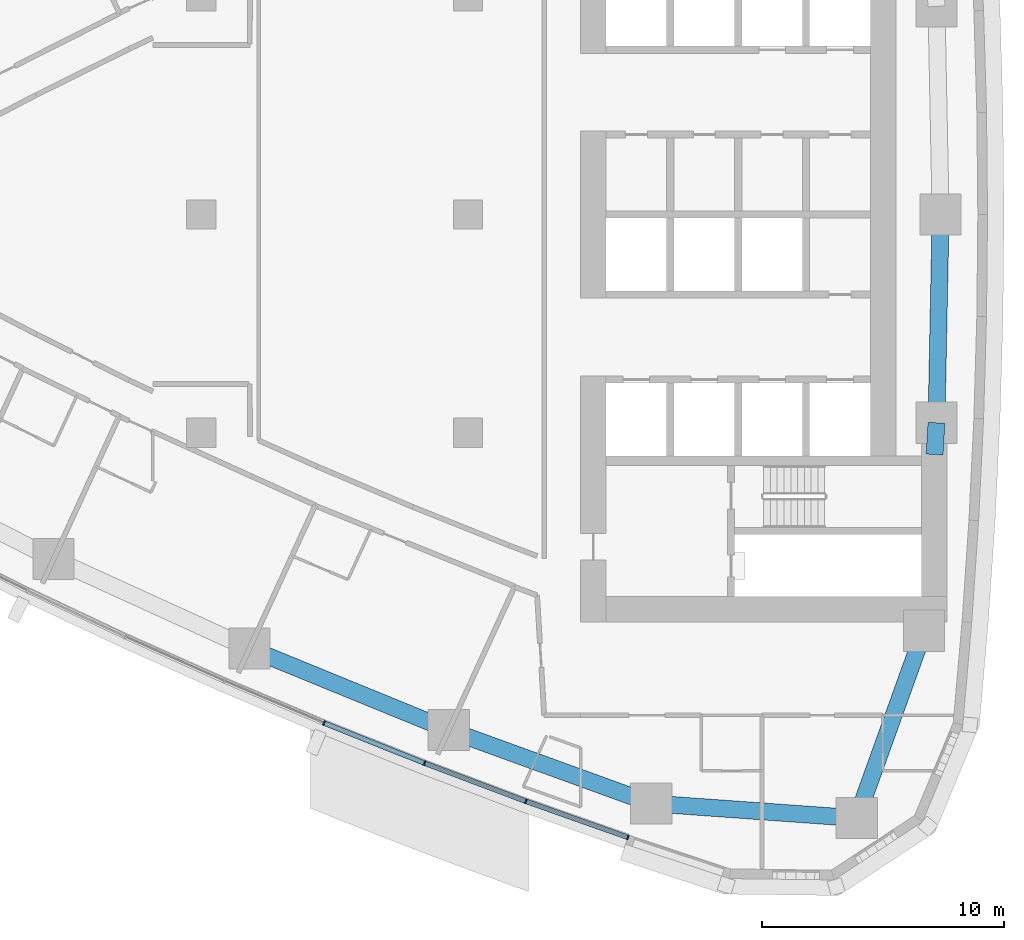
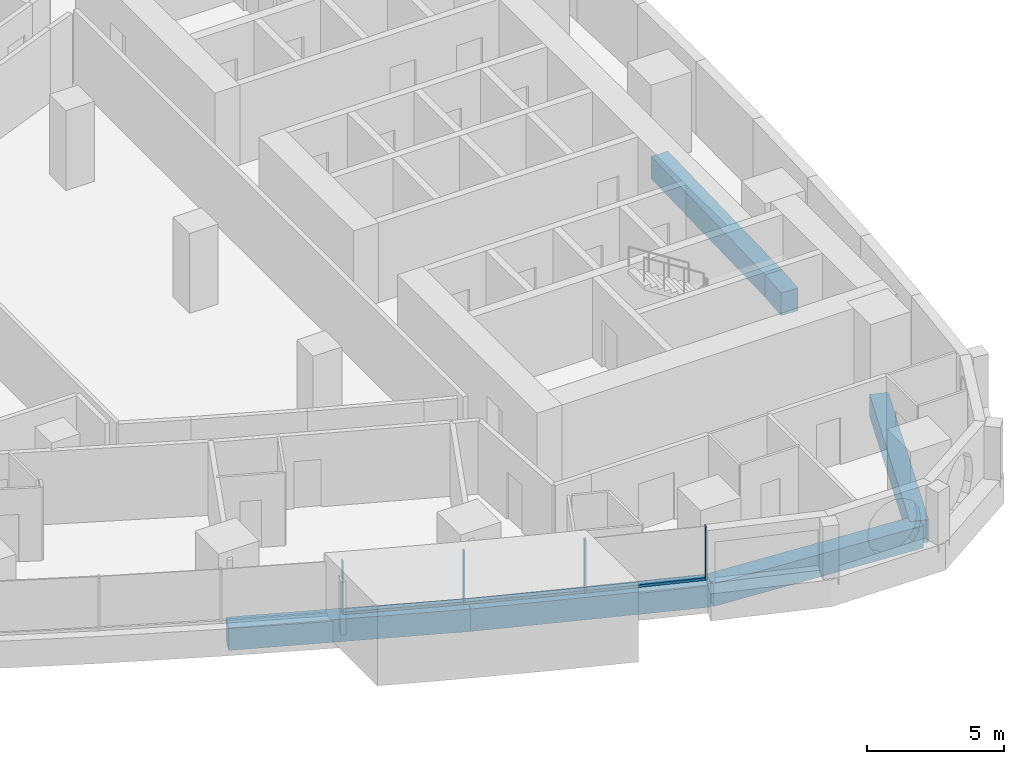
# One storey, part 4 of 17: 7 members, 6 beams, 2 elements without a shape of their own.
"""IFC4 building model written with IfcOpenShell, lengths in metres."""

from ifc_helpers import new_model, si_unit, direction, frame, origin, origin_2d, place, context, subcontext, project, spatial, rectangle, extrude, material, layer, layer_set, material_profile, profile_set, type_object, element, aggregate, save


model = new_model("IFC4")

# Units and contexts
model_context = context("Model", 3, precision=1e-05, world=origin(), true_north=direction((0.0, 1.0)))
body_context = subcontext(model_context, "Body", "Model", "MODEL_VIEW")
ifc_project = project(units=[si_unit("LENGTHUNIT", "METRE"), si_unit("AREAUNIT", "SQUARE_METRE"), si_unit("VOLUMEUNIT", "CUBIC_METRE"), si_unit("PLANEANGLEUNIT", "RADIAN"), si_unit("MASSUNIT", "GRAM", prefix="KILO")], contexts=[model_context])

# Site, building, storey
site_placement = place(None, origin())
site = spatial("IfcSite", under=ifc_project, at=site_placement, CompositionType="ELEMENT")
building_placement = place(site_placement, origin())
building = spatial("IfcBuilding", under=site, at=building_placement, Name="Ostrand Prow Hotel Tower", CompositionType="ELEMENT")
storey_placement = place(building_placement, frame((0.0, 0.0, 99.10009765625)))
storey = spatial("IfcBuildingStorey", under=building, at=storey_placement, Name="L23", CompositionType="ELEMENT", Elevation=99.10009765625)

# Beams
ifc_material_1 = material(Name="Concrete C80/95", Category="concrete")
ifc_material_profile_1 = material_profile(ifc_material_1, rectangle(XDim=0.699951171875, YDim=1.0, at=origin_2d()), Name="RC 700x1000")
ifc_profile_set_1 = profile_set([ifc_material_profile_1], Name="Concrete C80/95")
beam_type = type_object("IfcBeamType", Name="Edge beam 700x1000 C80/95", PredefinedType="SPANDREL", material=ifc_profile_set_1)
beam_1_placement = place(storey_placement, frame((35.98828125, -17.901611328125, -0.800048828125), z_axis=(0.925612172894, -0.378473387955, 0.0), x_axis=(0.378473387955, 0.925612172894, 0.0)))
element("IfcBeam", 1, at=beam_1_placement, inside=storey, type_object=beam_type, Name="Edge beam S4-S5", PredefinedType="SPANDREL", context=body_context, shape_type="SweptSolid", body=[
    extrude(rectangle(XDim=0.699951171875, YDim=1.0, at=origin_2d()), origin(), (0.0, 0.0, 1.0), 8.88330078125),
])
beam_2_placement = place(storey_placement, frame((44.210693359375, -21.263671875, -0.800048828125), z_axis=(0.940062739321, -0.341001533927, 0.0), x_axis=(0.341001533927, 0.940062739321, 0.0)))
element("IfcBeam", 2, at=beam_2_placement, inside=storey, type_object=beam_type, Name="Edge beam S5-S6", PredefinedType="SPANDREL", context=body_context, shape_type="SweptSolid", body=[
    extrude(rectangle(XDim=0.699951171875, YDim=1.0, at=origin_2d()), origin(), (0.0, 0.0, 1.0), 8.883544921875),
])
beam_3_placement = place(storey_placement, frame((52.561767578125, -24.29296875, -0.800048828125), z_axis=(0.99747195063, -0.071061295414, 0.0), x_axis=(0.071061295414, 0.99747195063, 0.0)))
element("IfcBeam", 3, at=beam_3_placement, inside=storey, type_object=beam_type, Name="Edge beam S6-SE", PredefinedType="SPANDREL", context=body_context, shape_type="SweptSolid", body=[
    extrude(rectangle(XDim=0.699951171875, YDim=1.0, at=origin_2d()), origin(), (0.0, 0.0, 1.0), 8.499755859375),
])
beam_4_placement = place(storey_placement, frame((61.0400390625, -24.89697265625, -0.800048828125), z_axis=(0.337815484063, 0.941212355809, 0.0), x_axis=(-0.941212355809, 0.337815484063, 0.0)))
element("IfcBeam", 4, at=beam_4_placement, inside=storey, type_object=beam_type, Name="Edge beam SE-B1", PredefinedType="SPANDREL", context=body_context, shape_type="SweptSolid", body=[
    extrude(rectangle(XDim=0.699951171875, YDim=1.0, at=origin_2d()), origin(), (0.0, 0.0, 1.0), 8.21630859375),
])
beam_5_placement = place(storey_placement, frame((64.25048828125, -9.89990234375, -0.800048828125), z_axis=(0.059658953766, 0.998218818314, 0.0), x_axis=(-0.998218818314, 0.059658953766, 0.0)))
element("IfcBeam", 5, at=beam_5_placement, inside=storey, type_object=beam_type, Name="Edge beam B1-B2", PredefinedType="SPANDREL", context=body_context, shape_type="SweptSolid", body=[
    extrude(rectangle(XDim=0.699951171875, YDim=1.0, at=origin_2d()), origin(), (0.0, 0.0, 1.0), 1.313720703125),
])
beam_6_placement = place(storey_placement, frame((64.328857421875, -8.588623046875, -0.800048828125), z_axis=(0.019922705812, 0.9998015232, 0.0), x_axis=(-0.9998015232, 0.019922705812, 0.0)))
element("IfcBeam", 6, at=beam_6_placement, inside=storey, type_object=beam_type, Name="Edge beam B2-B3", PredefinedType="SPANDREL", context=body_context, shape_type="SweptSolid", body=[
    extrude(rectangle(XDim=0.699951171875, YDim=1.0, at=origin_2d()), origin(), (0.0, 0.0, 1.0), 8.59033203125),
])

# Curtain wall, members
ifc_material_2 = material(Name="Insulated glass in bronze anodised frame", Category="glass")
ifc_layer = layer(ifc_material_2, 0.199951171875)
ifc_layer_set = layer_set([ifc_layer], Name="Insulated glass in bronze anodised frame")
curtain_wall_type = type_object("IfcCurtainWallType", Name="Strip curtain wall, fritted glass over bronze spandrel", PredefinedType="NOTDEFINED", material=ifc_layer_set)
curtain_wall_1_placement = place(storey_placement, origin())
curtain_wall_1 = element("IfcCurtainWall", 7, at=curtain_wall_1_placement, inside=storey, type_object=curtain_wall_type, Name="CW1 run CWS4", PredefinedType="NOTDEFINED")
ifc_material_3 = material(Name="Bronze anodised aluminium", Category="aluminium")
ifc_material_profile_2 = material_profile(ifc_material_3, rectangle(XDim=0.199951171875, YDim=0.06005859375, at=origin_2d()), Name="Mullion 60x200 bronze anodised aluminium")
ifc_profile_set_2 = profile_set([ifc_material_profile_2], Name="Bronze anodised aluminium")
member_type_1 = type_object("IfcMemberType", Name="Mullion 60x200 bronze anodised aluminium", PredefinedType="MULLION", material=ifc_profile_set_2)
member_1_placement = place(storey_placement, frame((39.06396484375, -20.97265625, 0.89990234375), z_axis=(0.0, 0.0, 1.0), x_axis=(0.370982121315, 0.928640008649, 0.0)))
member_1 = element("IfcMember", 8, at=member_1_placement, type_object=member_type_1, Name="CW1 mullion 2", PredefinedType="MULLION", context=body_context, shape_type="SweptSolid", body=[
    extrude(rectangle(XDim=0.199951171875, YDim=0.06005859375, at=origin_2d()), origin(), (0.0, 0.0, 1.0), 2.35009765625),
])
member_2_placement = place(storey_placement, frame((43.211181640625, -22.62939453125, 0.89990234375), z_axis=(0.0, 0.0, 1.0), x_axis=(0.370982121315, 0.928640008649, 0.0)))
member_2 = element("IfcMember", 9, at=member_2_placement, type_object=member_type_1, Name="CW1 mullion 3", PredefinedType="MULLION", context=body_context, shape_type="SweptSolid", body=[
    extrude(rectangle(XDim=0.199951171875, YDim=0.06005859375, at=origin_2d()), origin(), (0.0, 0.0, 1.0), 2.35009765625),
])

curtain_wall_2_placement = place(storey_placement, origin())
curtain_wall_2 = element("IfcCurtainWall", 10, at=curtain_wall_2_placement, inside=storey, type_object=curtain_wall_type, Name="CW1 run CWS5", PredefinedType="NOTDEFINED")
member_3_placement = place(storey_placement, frame((47.390869140625, -24.202880859375, 0.89990234375), z_axis=(0.0, 0.0, 1.0), x_axis=(0.333495894542, 0.942751551748, 0.0)))
member_3 = element("IfcMember", 11, at=member_3_placement, type_object=member_type_1, Name="CW1 mullion 2", PredefinedType="MULLION", context=body_context, shape_type="SweptSolid", body=[
    extrude(rectangle(XDim=0.199951171875, YDim=0.06005859375, at=origin_2d()), origin(), (0.0, 0.0, 1.0), 2.35009765625),
])
member_4_placement = place(storey_placement, frame((51.601318359375, -25.692138671875, 0.89990234375), z_axis=(0.0, 0.0, 1.0), x_axis=(0.333495894542, 0.942751551748, 0.0)))
member_4 = element("IfcMember", 12, at=member_4_placement, type_object=member_type_1, Name="CW1 mullion 3", PredefinedType="MULLION", context=body_context, shape_type="SweptSolid", body=[
    extrude(rectangle(XDim=0.199951171875, YDim=0.06005859375, at=origin_2d()), origin(), (0.0, 0.0, 1.0), 2.35009765625),
])

# Member
ifc_material_4 = material(Name="Bronze anodised aluminium", Category="aluminium")
ifc_material_profile_3 = material_profile(ifc_material_4, rectangle(XDim=0.199951171875, YDim=0.1201171875, at=origin_2d()), Name="Transom 120x200 bronze anodised aluminium")
ifc_profile_set_3 = profile_set([ifc_material_profile_3], Name="Bronze anodised aluminium")
member_type_2 = type_object("IfcMemberType", Name="Transom 120x200 bronze anodised aluminium", PredefinedType="USERDEFINED", material=ifc_profile_set_3)
member_5_placement = place(storey_placement, frame((39.091796875, -20.983642578125, 0.9599609375), z_axis=(0.928621833209, -0.371027614724, 0.0), x_axis=(0.371027614724, 0.928621833209, 0.0)))
member_5 = element("IfcMember", 13, at=member_5_placement, type_object=member_type_2, Name="CW1 transom 2.1", ObjectType="TRANSOM", PredefinedType="USERDEFINED", context=body_context, shape_type="SweptSolid", body=[
    extrude(rectangle(XDim=0.199951171875, YDim=0.1201171875, at=origin_2d()), origin(), (0.0, 0.0, 1.0), 4.406005859375),
])

aggregate(curtain_wall_1, [member_1, member_2, member_5])

member_6_placement = place(storey_placement, frame((43.2392578125, -22.639892578125, 0.9599609375), z_axis=(0.935868398429, -0.352349742191, 0.0), x_axis=(0.352349742191, 0.935868398429, 0.0)))
member_6 = element("IfcMember", 14, at=member_6_placement, type_object=member_type_2, Name="CW1 transom 1.1", ObjectType="TRANSOM", PredefinedType="USERDEFINED", context=body_context, shape_type="SweptSolid", body=[
    extrude(rectangle(XDim=0.199951171875, YDim=0.1201171875, at=origin_2d()), origin(), (0.0, 0.0, 1.0), 4.406005859375),
])

member_7_placement = place(storey_placement, frame((47.419189453125, -24.212890625, 0.9599609375), z_axis=(0.942763014139, -0.333463490013, 0.0), x_axis=(0.333463490013, 0.942763014139, 0.0)))
member_7 = element("IfcMember", 15, at=member_7_placement, type_object=member_type_2, Name="CW1 transom 2.1", ObjectType="TRANSOM", PredefinedType="USERDEFINED", context=body_context, shape_type="SweptSolid", body=[
    extrude(rectangle(XDim=0.199951171875, YDim=0.1201171875, at=origin_2d()), origin(), (0.0, 0.0, 1.0), 4.406005859375),
])

aggregate(curtain_wall_2, [member_3, member_4, member_6, member_7])

save(model, "model.ifc")
